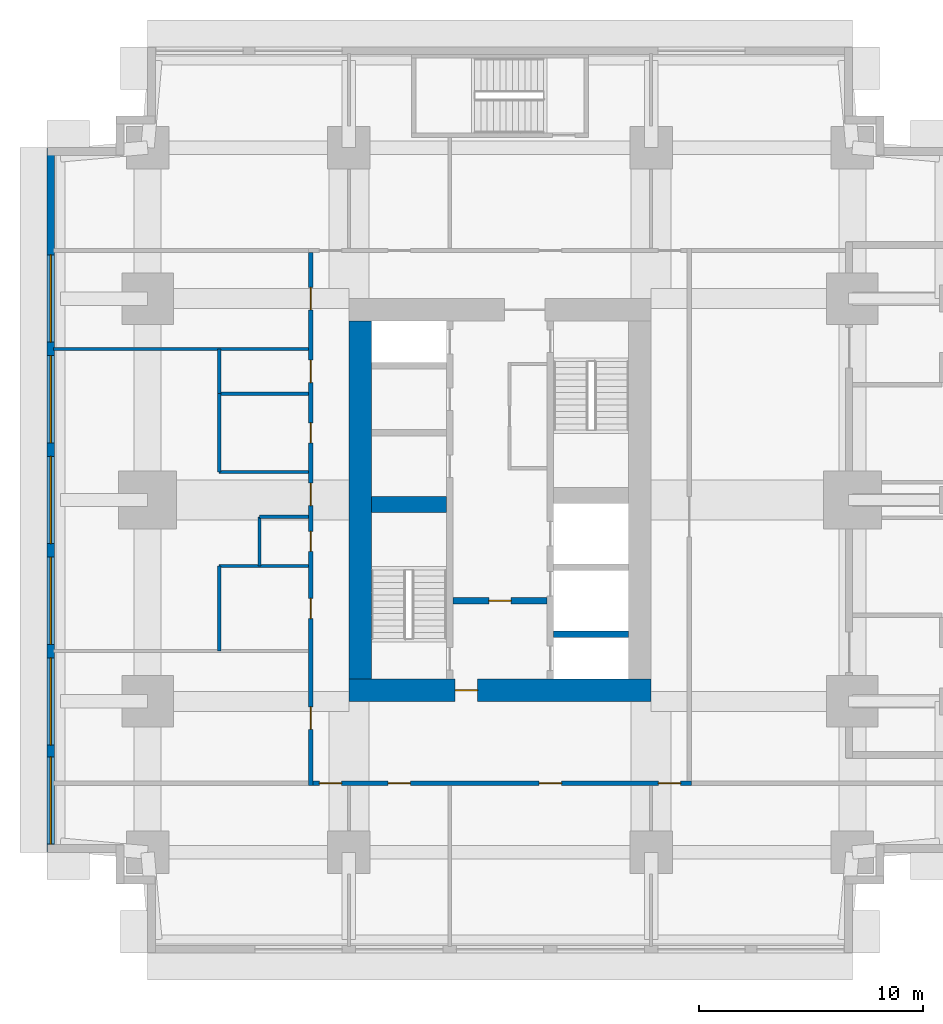
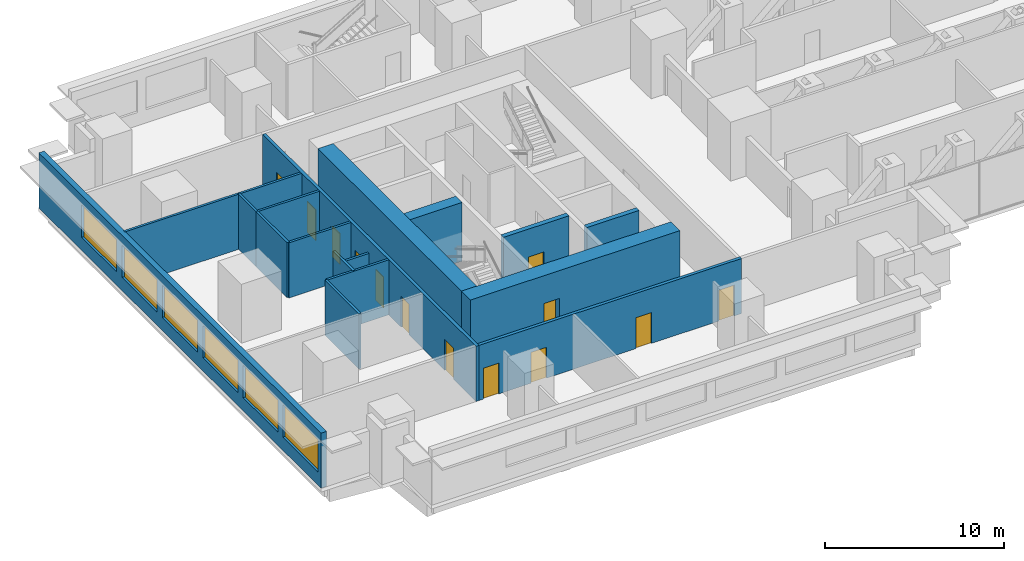
# One storey, part 7 of 14: 17 walls, 13 doors, 6 windows, 19 openings.
"""IFC4 building model written with IfcOpenShell, lengths in metres."""

from ifc_helpers import new_model, si_unit, direction, frame, frame_2d, origin, place, context, subcontext, project, spatial, rectangle, extrude, material, layer, layer_set, type_object, element, fill, save


model = new_model("IFC4")

# Units and contexts
model_context = context("Model", 3, precision=1e-05, world=origin(), true_north=direction((0.0, 1.0)))
body_context = subcontext(model_context, "Body", "Model", "MODEL_VIEW")
ifc_project = project(units=[si_unit("LENGTHUNIT", "METRE"), si_unit("AREAUNIT", "SQUARE_METRE"), si_unit("VOLUMEUNIT", "CUBIC_METRE"), si_unit("PLANEANGLEUNIT", "RADIAN"), si_unit("MASSUNIT", "GRAM", prefix="KILO")], contexts=[model_context])

# Site, building, storey
site_placement = place(None, origin())
site = spatial("IfcSite", under=ifc_project, at=site_placement, CompositionType="ELEMENT")
building_placement = place(site_placement, origin())
building = spatial("IfcBuilding", under=site, at=building_placement, Name="Namib Vertical Campus", CompositionType="ELEMENT")
storey_placement = place(building_placement, frame((0.0, 0.0, 133.0)))
storey = spatial("IfcBuildingStorey", under=building, at=storey_placement, Name="L31", CompositionType="ELEMENT", Elevation=133.0)

# Wall, opening, door
ifc_material_1 = material(Name="Concrete C60/75", Category="concrete")
ifc_layer_1 = layer(ifc_material_1, 0.300048828125)
ifc_layer_set_1 = layer_set([ifc_layer_1], Name="Concrete C60/75")
wall_type_1 = type_object("IfcWallType", Name="Core inner wall 300", PredefinedType="SHEAR", material=ifc_layer_set_1)
wall_1_placement = place(storey_placement, frame((18.14990234375, 15.75, 0.0), z_axis=(0.0, 0.0, 1.0), x_axis=(1.0, 0.0, 0.0)))
wall_1 = element("IfcWall", 1, at=wall_1_placement, inside=storey, type_object=wall_type_1, Name="Core inner wall A L31 W4", PredefinedType="SHEAR", context=body_context, shape_type="SweptSolid", body=[
    extrude(rectangle(XDim=4.2001953125, YDim=0.300048828125, at=frame_2d((2.10009765625, 0.0))), origin(), (0.0, 0.0, 1.0), 4.0),
])
opening_1_placement = place(wall_1_placement, frame((1.60009765625, 0.0, 0.0)))
opening_1 = element("IfcOpeningElement", 2, at=opening_1_placement, cuts=wall_1, Name="Opening FD5", PredefinedType="OPENING", context=body_context, shape_type="SweptSolid", body=[
    extrude(rectangle(XDim=1.0, YDim=2.10009765625, at=frame_2d((0.5, 1.050048828125))), frame((0.0, 0.159912109375, 0.0), z_axis=(0.0, -1.0, 0.0), x_axis=(1.0, 0.0, 0.0)), (0.0, 0.0, 1.0), 0.320068359375),
])
ifc_material_2 = material(Name="Steel fire door", Category="steel")
door_type_1 = type_object("IfcDoorType", Name="Fire door 1000x2100 120 min", OperationType="SINGLE_SWING_RIGHT", PredefinedType="DOOR", material=ifc_material_2)
door_1_placement = place(opening_1_placement, frame((1.0, 0.0, 0.0), z_axis=(0.0, 0.0, 1.0), x_axis=(-1.0, 0.0, 0.0)))
door_1 = element("IfcDoor", 3, at=door_1_placement, inside=storey, type_object=door_type_1, Name="Lobby door FD5 A L31", OperationType="SINGLE_SWING_RIGHT", OverallHeight=2.10009765625, OverallWidth=1.0, PredefinedType="DOOR", context=body_context, shape_type="SweptSolid", body=[
    extrude(rectangle(XDim=1.0, YDim=2.10009765625, at=frame_2d((0.5, 1.050048828125))), frame((0.0, 0.02490234375, 0.0), z_axis=(0.0, -1.0, 0.0), x_axis=(1.0, 0.0, 0.0)), (0.0, 0.0, 1.0), 0.050048828125),
])
fill(opening_1, door_1)

# Walls
wall_2_placement = place(storey_placement, frame((22.64990234375, 14.25, 0.0), z_axis=(0.0, 0.0, 1.0), x_axis=(1.0, 0.0, 0.0)))
element("IfcWall", 4, at=wall_2_placement, inside=storey, type_object=wall_type_1, Name="Core inner wall A L31 W5", PredefinedType="SHEAR", context=body_context, shape_type="SweptSolid", body=[
    extrude(rectangle(XDim=3.35009765625, YDim=0.300048828125, at=frame_2d((1.675048828125, 0.0))), origin(), (0.0, 0.0, 1.0), 4.0),
])
ifc_material_3 = material(Name="Concrete C60/75", Category="concrete")
ifc_layer_2 = layer(ifc_material_3, 0.699951171875)
ifc_layer_set_2 = layer_set([ifc_layer_2], Name="Concrete C60/75")
wall_type_2 = type_object("IfcWallType", Name="Core shear wall 700", PredefinedType="SHEAR", material=ifc_layer_set_2)
wall_3_placement = place(storey_placement, frame((14.5, 20.050048828125, 0.0), z_axis=(0.0, 0.0, 1.0), x_axis=(1.0, 0.0, 0.0)))
element("IfcWall", 5, at=wall_3_placement, inside=storey, type_object=wall_type_2, Name="Core shear wall A L31 W3", PredefinedType="SHEAR", context=body_context, shape_type="SweptSolid", body=[
    extrude(rectangle(XDim=3.35009765625, YDim=0.699951171875, at=frame_2d((1.675048828125, 0.0))), origin(), (0.0, 0.0, 1.0), 4.0),
])

# Wall, opening, door
ifc_material_4 = material(Name="Concrete C60/75", Category="concrete")
ifc_layer_3 = layer(ifc_material_4, 1.0)
ifc_layer_set_3 = layer_set([ifc_layer_3], Name="Concrete C60/75")
wall_type_3 = type_object("IfcWallType", Name="Core wall 1000", PredefinedType="SHEAR", material=ifc_layer_set_3)
wall_4_placement = place(storey_placement, frame((13.5, 11.75, 0.0), z_axis=(0.0, 0.0, 1.0), x_axis=(1.0, 0.0, 0.0)))
wall_4 = element("IfcWall", 6, at=wall_4_placement, inside=storey, type_object=wall_type_3, Name="Core wall A L31 1", PredefinedType="SHEAR", context=body_context, shape_type="SweptSolid", body=[
    extrude(rectangle(XDim=13.5, YDim=1.0, at=frame_2d((6.75, 0.0))), origin(), (0.0, 0.0, 1.0), 4.0),
])
opening_2_placement = place(wall_4_placement, frame((4.75, 0.0, 0.0)))
opening_2 = element("IfcOpeningElement", 7, at=opening_2_placement, cuts=wall_4, Name="Opening FD5", PredefinedType="OPENING", context=body_context, shape_type="SweptSolid", body=[
    extrude(rectangle(XDim=1.0, YDim=2.10009765625, at=frame_2d((0.5, 1.050048828125))), frame((0.0, 0.510009765625, 0.0), z_axis=(0.0, -1.0, 0.0), x_axis=(1.0, 0.0, 0.0)), (0.0, 0.0, 1.0), 1.02001953125),
])
door_2_placement = place(opening_2_placement, origin())
door_2 = element("IfcDoor", 8, at=door_2_placement, inside=storey, type_object=door_type_1, Name="Firefighting lobby door FD5 A L31", OperationType="SINGLE_SWING_LEFT", OverallHeight=2.10009765625, OverallWidth=1.0, PredefinedType="DOOR", context=body_context, shape_type="SweptSolid", body=[
    extrude(rectangle(XDim=1.0, YDim=2.10009765625, at=frame_2d((0.5, 1.050048828125))), frame((0.0, 0.02490234375, 0.0), z_axis=(0.0, -1.0, 0.0), x_axis=(1.0, 0.0, 0.0)), (0.0, 0.0, 1.0), 0.050048828125),
])
fill(opening_2, door_2)

# Wall
wall_5_placement = place(storey_placement, frame((14.0, 28.25, 0.0), z_axis=(0.0, 0.0, 1.0), x_axis=(0.0, -1.0, 0.0)))
element("IfcWall", 9, at=wall_5_placement, inside=storey, type_object=wall_type_3, Name="Core wall A L31 4", PredefinedType="SHEAR", context=body_context, shape_type="SweptSolid", body=[
    extrude(rectangle(XDim=16.0, YDim=1.0, at=frame_2d((8.0, 0.0))), origin(), (0.0, 0.0, 1.0), 4.0),
])

# Wall, openings, doors
ifc_material_5 = material(Name="Concrete masonry", Category="masonry")
ifc_layer_4 = layer(ifc_material_5, 0.199951171875)
ifc_layer_set_4 = layer_set([ifc_layer_4], Name="Corridor wall 200")
wall_type_4 = type_object("IfcWallType", Name="Corridor wall 200", PredefinedType="SOLIDWALL", material=ifc_layer_set_4)
wall_6_placement = place(storey_placement, frame((11.89990234375, 7.60009765625, 0.0), z_axis=(0.0, 0.0, 1.0), x_axis=(1.0, 0.0, 0.0)))
wall_6 = element("IfcWall", 10, at=wall_6_placement, inside=storey, type_object=wall_type_4, Name="Corridor wall A L31 CS", PredefinedType="SOLIDWALL", context=body_context, shape_type="SweptSolid", body=[
    extrude(rectangle(XDim=16.900146484375, YDim=0.199951171875, at=frame_2d((8.4501953125, 0.0))), origin(), (0.0, 0.0, 1.0), 3.75),
])
opening_3_placement = place(wall_6_placement, frame((0.27490234375, 0.0, 0.0)))
opening_3 = element("IfcOpeningElement", 11, at=opening_3_placement, cuts=wall_6, Name="Opening CD1", PredefinedType="OPENING", context=body_context, shape_type="SweptSolid", body=[
    extrude(rectangle(XDim=1.0, YDim=2.10009765625, at=frame_2d((0.5, 1.050048828125))), frame((0.0, 0.10986328125, 0.0), z_axis=(0.0, -1.0, 0.0), x_axis=(1.0, 0.0, 0.0)), (0.0, 0.0, 1.0), 0.219970703125),
])
opening_4_placement = place(wall_6_placement, frame((3.35009765625, 0.0, 0.0)))
opening_4 = element("IfcOpeningElement", 12, at=opening_4_placement, cuts=wall_6, Name="Opening CD1", PredefinedType="OPENING", context=body_context, shape_type="SweptSolid", body=[
    extrude(rectangle(XDim=1.0, YDim=2.10009765625, at=frame_2d((0.5, 1.050048828125))), frame((0.0, 0.10986328125, 0.0), z_axis=(0.0, -1.0, 0.0), x_axis=(1.0, 0.0, 0.0)), (0.0, 0.0, 1.0), 0.219970703125),
])
opening_5_placement = place(wall_6_placement, frame((10.10009765625, 0.0, 0.0)))
opening_5 = element("IfcOpeningElement", 13, at=opening_5_placement, cuts=wall_6, Name="Opening CD1", PredefinedType="OPENING", context=body_context, shape_type="SweptSolid", body=[
    extrude(rectangle(XDim=1.0, YDim=2.10009765625, at=frame_2d((0.5, 1.050048828125))), frame((0.0, 0.10986328125, 0.0), z_axis=(0.0, -1.0, 0.0), x_axis=(1.0, 0.0, 0.0)), (0.0, 0.0, 1.0), 0.219970703125),
])
opening_6_placement = place(wall_6_placement, frame((15.425048828125, 0.0, 0.0)))
opening_6 = element("IfcOpeningElement", 14, at=opening_6_placement, cuts=wall_6, Name="Opening CD1", PredefinedType="OPENING", context=body_context, shape_type="SweptSolid", body=[
    extrude(rectangle(XDim=1.0, YDim=2.10009765625, at=frame_2d((0.5, 1.050048828125))), frame((0.0, 0.10986328125, 0.0), z_axis=(0.0, -1.0, 0.0), x_axis=(1.0, 0.0, 0.0)), (0.0, 0.0, 1.0), 0.219970703125),
])
ifc_material_6 = material(Name="Timber fire door leaf", Category="wood")
door_type_2 = type_object("IfcDoorType", Name="Corridor door 1000x2100 20 min", OperationType="SINGLE_SWING_LEFT", PredefinedType="DOOR", material=ifc_material_6)
door_3_placement = place(opening_3_placement, frame((1.0, 0.0, 0.0), z_axis=(0.0, 0.0, 1.0), x_axis=(-1.0, 0.0, 0.0)))
door_3 = element("IfcDoor", 15, at=door_3_placement, inside=storey, type_object=door_type_2, Name="Door CD1 A31-01", OperationType="SINGLE_SWING_LEFT", OverallHeight=2.10009765625, OverallWidth=1.0, PredefinedType="DOOR", context=body_context, shape_type="SweptSolid", body=[
    extrude(rectangle(XDim=1.0, YDim=2.10009765625, at=frame_2d((0.5, 1.050048828125))), frame((0.0, 0.02490234375, 0.0), z_axis=(0.0, -1.0, 0.0), x_axis=(1.0, 0.0, 0.0)), (0.0, 0.0, 1.0), 0.050048828125),
])
fill(opening_3, door_3)
door_4_placement = place(opening_4_placement, frame((1.0, 0.0, 0.0), z_axis=(0.0, 0.0, 1.0), x_axis=(-1.0, 0.0, 0.0)))
door_4 = element("IfcDoor", 16, at=door_4_placement, inside=storey, type_object=door_type_2, Name="Door CD1 A31-02", OperationType="SINGLE_SWING_RIGHT", OverallHeight=2.10009765625, OverallWidth=1.0, PredefinedType="DOOR", context=body_context, shape_type="SweptSolid", body=[
    extrude(rectangle(XDim=1.0, YDim=2.10009765625, at=frame_2d((0.5, 1.050048828125))), frame((0.0, 0.02490234375, 0.0), z_axis=(0.0, -1.0, 0.0), x_axis=(1.0, 0.0, 0.0)), (0.0, 0.0, 1.0), 0.050048828125),
])
fill(opening_4, door_4)
door_5_placement = place(opening_5_placement, frame((1.0, 0.0, 0.0), z_axis=(0.0, 0.0, 1.0), x_axis=(-1.0, 0.0, 0.0)))
door_5 = element("IfcDoor", 17, at=door_5_placement, inside=storey, type_object=door_type_2, Name="Door CD1 A31-03", OperationType="SINGLE_SWING_RIGHT", OverallHeight=2.10009765625, OverallWidth=1.0, PredefinedType="DOOR", context=body_context, shape_type="SweptSolid", body=[
    extrude(rectangle(XDim=1.0, YDim=2.10009765625, at=frame_2d((0.5, 1.050048828125))), frame((0.0, 0.02490234375, 0.0), z_axis=(0.0, -1.0, 0.0), x_axis=(1.0, 0.0, 0.0)), (0.0, 0.0, 1.0), 0.050048828125),
])
fill(opening_5, door_5)
door_6_placement = place(opening_6_placement, frame((1.0, 0.0, 0.0), z_axis=(0.0, 0.0, 1.0), x_axis=(-1.0, 0.0, 0.0)))
door_6 = element("IfcDoor", 18, at=door_6_placement, inside=storey, type_object=door_type_2, Name="Door CD1 A31-04", OperationType="SINGLE_SWING_RIGHT", OverallHeight=2.10009765625, OverallWidth=1.0, PredefinedType="DOOR", context=body_context, shape_type="SweptSolid", body=[
    extrude(rectangle(XDim=1.0, YDim=2.10009765625, at=frame_2d((0.5, 1.050048828125))), frame((0.0, 0.02490234375, 0.0), z_axis=(0.0, -1.0, 0.0), x_axis=(1.0, 0.0, 0.0)), (0.0, 0.0, 1.0), 0.050048828125),
])
fill(opening_6, door_6)

wall_7_placement = place(storey_placement, frame((11.800048828125, 31.300048828125, 0.0), z_axis=(0.0, 0.0, 1.0), x_axis=(0.0, -1.0, 0.0)))
wall_7 = element("IfcWall", 19, at=wall_7_placement, inside=storey, type_object=wall_type_4, Name="Corridor wall A L31 CW", PredefinedType="SOLIDWALL", context=body_context, shape_type="SweptSolid", body=[
    extrude(rectangle(XDim=23.800048828125, YDim=0.199951171875, at=frame_2d((11.89990234375, 0.0))), origin(), (0.0, 0.0, 1.0), 3.75),
])
opening_7_placement = place(wall_7_placement, frame((20.300048828125, 0.0, 0.0)))
opening_7 = element("IfcOpeningElement", 20, at=opening_7_placement, cuts=wall_7, Name="Opening CD1", PredefinedType="OPENING", context=body_context, shape_type="SweptSolid", body=[
    extrude(rectangle(XDim=1.0, YDim=2.10009765625, at=frame_2d((0.5, 1.050048828125))), frame((0.0, 0.10986328125, 0.0), z_axis=(0.0, -1.0, 0.0), x_axis=(1.0, 0.0, 0.0)), (0.0, 0.0, 1.0), 0.219970703125),
])
opening_8_placement = place(wall_7_placement, frame((15.449951171875, 0.0, 0.0)))
opening_8 = element("IfcOpeningElement", 21, at=opening_8_placement, cuts=wall_7, Name="Opening CD3", PredefinedType="OPENING", context=body_context, shape_type="SweptSolid", body=[
    extrude(rectangle(XDim=0.89990234375, YDim=2.10009765625, at=frame_2d((0.449951171875, 1.050048828125))), frame((0.0, 0.10986328125, 0.0), z_axis=(0.0, -1.0, 0.0), x_axis=(1.0, 0.0, 0.0)), (0.0, 0.0, 1.0), 0.219970703125),
])
opening_9_placement = place(wall_7_placement, frame((12.449951171875, 0.0, 0.0)))
opening_9 = element("IfcOpeningElement", 22, at=opening_9_placement, cuts=wall_7, Name="Opening CD3", PredefinedType="OPENING", context=body_context, shape_type="SweptSolid", body=[
    extrude(rectangle(XDim=0.89990234375, YDim=2.10009765625, at=frame_2d((0.449951171875, 1.050048828125))), frame((0.0, 0.10986328125, 0.0), z_axis=(0.0, -1.0, 0.0), x_axis=(1.0, 0.0, 0.0)), (0.0, 0.0, 1.0), 0.219970703125),
])
opening_10_placement = place(wall_7_placement, frame((7.60009765625, 0.0, 0.0)))
opening_10 = element("IfcOpeningElement", 23, at=opening_10_placement, cuts=wall_7, Name="Opening CD3", PredefinedType="OPENING", context=body_context, shape_type="SweptSolid", body=[
    extrude(rectangle(XDim=0.89990234375, YDim=2.10009765625, at=frame_2d((0.449951171875, 1.050048828125))), frame((0.0, 0.10986328125, 0.0), z_axis=(0.0, -1.0, 0.0), x_axis=(1.0, 0.0, 0.0)), (0.0, 0.0, 1.0), 0.219970703125),
])
opening_11_placement = place(wall_7_placement, frame((4.800048828125, 0.0, 0.0)))
opening_11 = element("IfcOpeningElement", 24, at=opening_11_placement, cuts=wall_7, Name="Opening CD1", PredefinedType="OPENING", context=body_context, shape_type="SweptSolid", body=[
    extrude(rectangle(XDim=1.0, YDim=2.10009765625, at=frame_2d((0.5, 1.050048828125))), frame((0.0, 0.10986328125, 0.0), z_axis=(0.0, -1.0, 0.0), x_axis=(1.0, 0.0, 0.0)), (0.0, 0.0, 1.0), 0.219970703125),
])
opening_12_placement = place(wall_7_placement, frame((10.300048828125, 0.0, 0.0)))
opening_12 = element("IfcOpeningElement", 25, at=opening_12_placement, cuts=wall_7, Name="Opening CD1", PredefinedType="OPENING", context=body_context, shape_type="SweptSolid", body=[
    extrude(rectangle(XDim=1.0, YDim=2.10009765625, at=frame_2d((0.5, 1.050048828125))), frame((0.0, 0.10986328125, 0.0), z_axis=(0.0, -1.0, 0.0), x_axis=(1.0, 0.0, 0.0)), (0.0, 0.0, 1.0), 0.219970703125),
])
opening_13_placement = place(wall_7_placement, frame((1.550048828125, 0.0, 0.0)))
opening_13 = element("IfcOpeningElement", 26, at=opening_13_placement, cuts=wall_7, Name="Opening CD1", PredefinedType="OPENING", context=body_context, shape_type="SweptSolid", body=[
    extrude(rectangle(XDim=1.0, YDim=2.10009765625, at=frame_2d((0.5, 1.050048828125))), frame((0.0, 0.10986328125, 0.0), z_axis=(0.0, -1.0, 0.0), x_axis=(1.0, 0.0, 0.0)), (0.0, 0.0, 1.0), 0.219970703125),
])
door_7_placement = place(opening_7_placement, frame((1.0, 0.0, 0.0), z_axis=(0.0, 0.0, 1.0), x_axis=(-1.0, 0.0, 0.0)))
door_7 = element("IfcDoor", 27, at=door_7_placement, inside=storey, type_object=door_type_2, Name="Door CD1 A31-10", OperationType="SINGLE_SWING_RIGHT", OverallHeight=2.10009765625, OverallWidth=1.0, PredefinedType="DOOR", context=body_context, shape_type="SweptSolid", body=[
    extrude(rectangle(XDim=1.0, YDim=2.10009765625, at=frame_2d((0.5, 1.050048828125))), frame((0.0, 0.02490234375, 0.0), z_axis=(0.0, -1.0, 0.0), x_axis=(1.0, 0.0, 0.0)), (0.0, 0.0, 1.0), 0.050048828125),
])
fill(opening_7, door_7)
door_8_placement = place(opening_11_placement, frame((1.0, 0.0, 0.0), z_axis=(0.0, 0.0, 1.0), x_axis=(-1.0, 0.0, 0.0)))
door_8 = element("IfcDoor", 28, at=door_8_placement, inside=storey, type_object=door_type_2, Name="Door CD1 A31-14", OperationType="SINGLE_SWING_RIGHT", OverallHeight=2.10009765625, OverallWidth=1.0, PredefinedType="DOOR", context=body_context, shape_type="SweptSolid", body=[
    extrude(rectangle(XDim=1.0, YDim=2.10009765625, at=frame_2d((0.5, 1.050048828125))), frame((0.0, 0.02490234375, 0.0), z_axis=(0.0, -1.0, 0.0), x_axis=(1.0, 0.0, 0.0)), (0.0, 0.0, 1.0), 0.050048828125),
])
fill(opening_11, door_8)
door_9_placement = place(opening_12_placement, frame((1.0, 0.0, 0.0), z_axis=(0.0, 0.0, 1.0), x_axis=(-1.0, 0.0, 0.0)))
door_9 = element("IfcDoor", 29, at=door_9_placement, inside=storey, type_object=door_type_2, Name="Door CD1 A31-15", OperationType="SINGLE_SWING_RIGHT", OverallHeight=2.10009765625, OverallWidth=1.0, PredefinedType="DOOR", context=body_context, shape_type="SweptSolid", body=[
    extrude(rectangle(XDim=1.0, YDim=2.10009765625, at=frame_2d((0.5, 1.050048828125))), frame((0.0, 0.02490234375, 0.0), z_axis=(0.0, -1.0, 0.0), x_axis=(1.0, 0.0, 0.0)), (0.0, 0.0, 1.0), 0.050048828125),
])
fill(opening_12, door_9)
door_10_placement = place(opening_13_placement, frame((1.0, 0.0, 0.0), z_axis=(0.0, 0.0, 1.0), x_axis=(-1.0, 0.0, 0.0)))
door_10 = element("IfcDoor", 30, at=door_10_placement, inside=storey, type_object=door_type_2, Name="Door CD1 A31-16", OperationType="SINGLE_SWING_RIGHT", OverallHeight=2.10009765625, OverallWidth=1.0, PredefinedType="DOOR", context=body_context, shape_type="SweptSolid", body=[
    extrude(rectangle(XDim=1.0, YDim=2.10009765625, at=frame_2d((0.5, 1.050048828125))), frame((0.0, 0.02490234375, 0.0), z_axis=(0.0, -1.0, 0.0), x_axis=(1.0, 0.0, 0.0)), (0.0, 0.0, 1.0), 0.050048828125),
])
fill(opening_13, door_10)
ifc_material_7 = material(Name="Timber fire door leaf", Category="wood")
door_type_3 = type_object("IfcDoorType", Name="Corridor toilet door 900x2100 20 min", OperationType="SINGLE_SWING_LEFT", PredefinedType="DOOR", material=ifc_material_7)
door_11_placement = place(opening_8_placement, frame((0.89990234375, 0.0, 0.0), z_axis=(0.0, 0.0, 1.0), x_axis=(-1.0, 0.0, 0.0)))
door_11 = element("IfcDoor", 31, at=door_11_placement, inside=storey, type_object=door_type_3, Name="Door CD3 A31-11", OperationType="SINGLE_SWING_RIGHT", OverallHeight=2.10009765625, OverallWidth=0.89990234375, PredefinedType="DOOR", context=body_context, shape_type="SweptSolid", body=[
    extrude(rectangle(XDim=0.89990234375, YDim=2.10009765625, at=frame_2d((0.449951171875, 1.050048828125))), frame((0.0, 0.02490234375, 0.0), z_axis=(0.0, -1.0, 0.0), x_axis=(1.0, 0.0, 0.0)), (0.0, 0.0, 1.0), 0.050048828125),
])
fill(opening_8, door_11)
door_12_placement = place(opening_9_placement, frame((0.89990234375, 0.0, 0.0), z_axis=(0.0, 0.0, 1.0), x_axis=(-1.0, 0.0, 0.0)))
door_12 = element("IfcDoor", 32, at=door_12_placement, inside=storey, type_object=door_type_3, Name="Door CD3 A31-12", OperationType="SINGLE_SWING_RIGHT", OverallHeight=2.10009765625, OverallWidth=0.89990234375, PredefinedType="DOOR", context=body_context, shape_type="SweptSolid", body=[
    extrude(rectangle(XDim=0.89990234375, YDim=2.10009765625, at=frame_2d((0.449951171875, 1.050048828125))), frame((0.0, 0.02490234375, 0.0), z_axis=(0.0, -1.0, 0.0), x_axis=(1.0, 0.0, 0.0)), (0.0, 0.0, 1.0), 0.050048828125),
])
fill(opening_9, door_12)
door_13_placement = place(opening_10_placement, frame((0.89990234375, 0.0, 0.0), z_axis=(0.0, 0.0, 1.0), x_axis=(-1.0, 0.0, 0.0)))
door_13 = element("IfcDoor", 33, at=door_13_placement, inside=storey, type_object=door_type_3, Name="Door CD3 A31-13", OperationType="SINGLE_SWING_RIGHT", OverallHeight=2.10009765625, OverallWidth=0.89990234375, PredefinedType="DOOR", context=body_context, shape_type="SweptSolid", body=[
    extrude(rectangle(XDim=0.89990234375, YDim=2.10009765625, at=frame_2d((0.449951171875, 1.050048828125))), frame((0.0, 0.02490234375, 0.0), z_axis=(0.0, -1.0, 0.0), x_axis=(1.0, 0.0, 0.0)), (0.0, 0.0, 1.0), 0.050048828125),
])
fill(opening_10, door_13)

# Wall, openings, windows
ifc_material_8 = material(Name="Concrete C40/50", Category="concrete")
ifc_layer_5 = layer(ifc_material_8, 0.35009765625)
ifc_layer_set_5 = layer_set([ifc_layer_5], Name="Concrete C40/50")
wall_type_5 = type_object("IfcWallType", Name="External wall 350 bush-hammered concrete", PredefinedType="STANDARD", material=ifc_layer_set_5)
wall_8_placement = place(storey_placement, frame((0.175048828125, 35.97998046875, 0.0), z_axis=(0.0, 0.0, 1.0), x_axis=(0.0, -1.0, 0.0)))
wall_8 = element("IfcWall", 34, at=wall_8_placement, inside=storey, type_object=wall_type_5, Name="External wall L31 F21", PredefinedType="STANDARD", context=body_context, shape_type="SweptSolid", body=[
    extrude(rectangle(XDim=31.4599609375, YDim=0.35009765625, at=frame_2d((15.72998046875, 0.0))), origin(), (0.0, 0.0, 1.0), 3.75),
])
opening_14_placement = place(wall_8_placement, frame((27.2099609375, 0.0, 0.89990234375)))
opening_14 = element("IfcOpeningElement", 35, at=opening_14_placement, cuts=wall_8, Name="Opening W1", PredefinedType="OPENING", context=body_context, shape_type="SweptSolid", body=[
    extrude(rectangle(XDim=3.89990234375, YDim=2.199951171875, at=frame_2d((1.949951171875, 1.10009765625))), frame((0.0, 0.18505859375, 0.0), z_axis=(0.0, -1.0, 0.0), x_axis=(1.0, 0.0, 0.0)), (0.0, 0.0, 1.0), 0.3701171875),
])
opening_15_placement = place(wall_8_placement, frame((22.780029296875, 0.0, 0.89990234375)))
opening_15 = element("IfcOpeningElement", 36, at=opening_15_placement, cuts=wall_8, Name="Opening W1", PredefinedType="OPENING", context=body_context, shape_type="SweptSolid", body=[
    extrude(rectangle(XDim=3.89990234375, YDim=2.199951171875, at=frame_2d((1.949951171875, 1.10009765625))), frame((0.0, 0.18505859375, 0.0), z_axis=(0.0, -1.0, 0.0), x_axis=(1.0, 0.0, 0.0)), (0.0, 0.0, 1.0), 0.3701171875),
])
opening_16_placement = place(wall_8_placement, frame((18.280029296875, 0.0, 0.89990234375)))
opening_16 = element("IfcOpeningElement", 37, at=opening_16_placement, cuts=wall_8, Name="Opening W1", PredefinedType="OPENING", context=body_context, shape_type="SweptSolid", body=[
    extrude(rectangle(XDim=3.89990234375, YDim=2.199951171875, at=frame_2d((1.949951171875, 1.10009765625))), frame((0.0, 0.18505859375, 0.0), z_axis=(0.0, -1.0, 0.0), x_axis=(1.0, 0.0, 0.0)), (0.0, 0.0, 1.0), 0.3701171875),
])
opening_17_placement = place(wall_8_placement, frame((13.780029296875, 0.0, 0.89990234375)))
opening_17 = element("IfcOpeningElement", 38, at=opening_17_placement, cuts=wall_8, Name="Opening W1", PredefinedType="OPENING", context=body_context, shape_type="SweptSolid", body=[
    extrude(rectangle(XDim=3.89990234375, YDim=2.199951171875, at=frame_2d((1.949951171875, 1.10009765625))), frame((0.0, 0.18505859375, 0.0), z_axis=(0.0, -1.0, 0.0), x_axis=(1.0, 0.0, 0.0)), (0.0, 0.0, 1.0), 0.3701171875),
])
opening_18_placement = place(wall_8_placement, frame((9.280029296875, 0.0, 0.89990234375)))
opening_18 = element("IfcOpeningElement", 39, at=opening_18_placement, cuts=wall_8, Name="Opening W1", PredefinedType="OPENING", context=body_context, shape_type="SweptSolid", body=[
    extrude(rectangle(XDim=3.89990234375, YDim=2.199951171875, at=frame_2d((1.949951171875, 1.10009765625))), frame((0.0, 0.18505859375, 0.0), z_axis=(0.0, -1.0, 0.0), x_axis=(1.0, 0.0, 0.0)), (0.0, 0.0, 1.0), 0.3701171875),
])
opening_19_placement = place(wall_8_placement, frame((4.780029296875, 0.0, 0.89990234375)))
opening_19 = element("IfcOpeningElement", 40, at=opening_19_placement, cuts=wall_8, Name="Opening W1", PredefinedType="OPENING", context=body_context, shape_type="SweptSolid", body=[
    extrude(rectangle(XDim=3.89990234375, YDim=2.199951171875, at=frame_2d((1.949951171875, 1.10009765625))), frame((0.0, 0.18505859375, 0.0), z_axis=(0.0, -1.0, 0.0), x_axis=(1.0, 0.0, 0.0)), (0.0, 0.0, 1.0), 0.3701171875),
])
ifc_material_9 = material(Name="Dark tinted glass in black aluminium frame", Category="aluminium")
window_type = type_object("IfcWindowType", Name="Ribbon window 3900x2200", PartitioningType="SINGLE_PANEL", PredefinedType="WINDOW", material=ifc_material_9)
window_1_placement = place(opening_14_placement, origin())
window_1 = element("IfcWindow", 41, at=window_1_placement, inside=storey, type_object=window_type, Name="Window W1 L31 F21-1", OverallHeight=2.199951171875, OverallWidth=3.89990234375, PartitioningType="SINGLE_PANEL", PredefinedType="WINDOW", context=body_context, shape_type="SweptSolid", body=[
    extrude(rectangle(XDim=3.89990234375, YDim=2.199951171875, at=frame_2d((1.949951171875, 1.10009765625))), frame((0.0, 0.030029296875, 0.0), z_axis=(0.0, -1.0, 0.0), x_axis=(1.0, 0.0, 0.0)), (0.0, 0.0, 1.0), 0.06005859375),
])
fill(opening_14, window_1)
window_2_placement = place(opening_15_placement, origin())
window_2 = element("IfcWindow", 42, at=window_2_placement, inside=storey, type_object=window_type, Name="Window W1 L31 F21-2", OverallHeight=2.199951171875, OverallWidth=3.89990234375, PartitioningType="SINGLE_PANEL", PredefinedType="WINDOW", context=body_context, shape_type="SweptSolid", body=[
    extrude(rectangle(XDim=3.89990234375, YDim=2.199951171875, at=frame_2d((1.949951171875, 1.10009765625))), frame((0.0, 0.030029296875, 0.0), z_axis=(0.0, -1.0, 0.0), x_axis=(1.0, 0.0, 0.0)), (0.0, 0.0, 1.0), 0.06005859375),
])
fill(opening_15, window_2)
window_3_placement = place(opening_16_placement, origin())
window_3 = element("IfcWindow", 43, at=window_3_placement, inside=storey, type_object=window_type, Name="Window W1 L31 F21-3", OverallHeight=2.199951171875, OverallWidth=3.89990234375, PartitioningType="SINGLE_PANEL", PredefinedType="WINDOW", context=body_context, shape_type="SweptSolid", body=[
    extrude(rectangle(XDim=3.89990234375, YDim=2.199951171875, at=frame_2d((1.949951171875, 1.10009765625))), frame((0.0, 0.030029296875, 0.0), z_axis=(0.0, -1.0, 0.0), x_axis=(1.0, 0.0, 0.0)), (0.0, 0.0, 1.0), 0.06005859375),
])
fill(opening_16, window_3)
window_4_placement = place(opening_17_placement, origin())
window_4 = element("IfcWindow", 44, at=window_4_placement, inside=storey, type_object=window_type, Name="Window W1 L31 F21-4", OverallHeight=2.199951171875, OverallWidth=3.89990234375, PartitioningType="SINGLE_PANEL", PredefinedType="WINDOW", context=body_context, shape_type="SweptSolid", body=[
    extrude(rectangle(XDim=3.89990234375, YDim=2.199951171875, at=frame_2d((1.949951171875, 1.10009765625))), frame((0.0, 0.030029296875, 0.0), z_axis=(0.0, -1.0, 0.0), x_axis=(1.0, 0.0, 0.0)), (0.0, 0.0, 1.0), 0.06005859375),
])
fill(opening_17, window_4)
window_5_placement = place(opening_18_placement, origin())
window_5 = element("IfcWindow", 45, at=window_5_placement, inside=storey, type_object=window_type, Name="Window W1 L31 F21-5", OverallHeight=2.199951171875, OverallWidth=3.89990234375, PartitioningType="SINGLE_PANEL", PredefinedType="WINDOW", context=body_context, shape_type="SweptSolid", body=[
    extrude(rectangle(XDim=3.89990234375, YDim=2.199951171875, at=frame_2d((1.949951171875, 1.10009765625))), frame((0.0, 0.030029296875, 0.0), z_axis=(0.0, -1.0, 0.0), x_axis=(1.0, 0.0, 0.0)), (0.0, 0.0, 1.0), 0.06005859375),
])
fill(opening_18, window_5)
window_6_placement = place(opening_19_placement, origin())
window_6 = element("IfcWindow", 46, at=window_6_placement, inside=storey, type_object=window_type, Name="Window W1 L31 F21-6", OverallHeight=2.199951171875, OverallWidth=3.89990234375, PartitioningType="SINGLE_PANEL", PredefinedType="WINDOW", context=body_context, shape_type="SweptSolid", body=[
    extrude(rectangle(XDim=3.89990234375, YDim=2.199951171875, at=frame_2d((1.949951171875, 1.10009765625))), frame((0.0, 0.030029296875, 0.0), z_axis=(0.0, -1.0, 0.0), x_axis=(1.0, 0.0, 0.0)), (0.0, 0.0, 1.0), 0.06005859375),
])
fill(opening_19, window_6)

# Walls
ifc_material_10 = material(Name="Gypsum board on steel studs", Category="steel")
ifc_layer_6 = layer(ifc_material_10, 0.14990234375)
ifc_layer_set_6 = layer_set([ifc_layer_6], Name="Gypsum board on steel studs")
wall_type_6 = type_object("IfcWallType", Name="Partition 150", PredefinedType="PARTITIONING", material=ifc_layer_set_6)
wall_9_placement = place(storey_placement, frame((0.300048828125, 27.0, 0.0), z_axis=(0.0, 0.0, 1.0), x_axis=(1.0, 0.0, 0.0)))
element("IfcWall", 47, at=wall_9_placement, inside=storey, type_object=wall_type_6, Name="Partition A L31 PW2", PredefinedType="PARTITIONING", context=body_context, shape_type="SweptSolid", body=[
    extrude(rectangle(XDim=11.39990234375, YDim=0.14990234375, at=frame_2d((5.699951171875, 0.0))), origin(), (0.0, 0.0, 1.0), 3.75),
])
wall_10_placement = place(storey_placement, frame((11.699951171875, 17.300048828125, 0.0), z_axis=(0.0, 0.0, 1.0), x_axis=(-1.0, 0.0, 0.0)))
element("IfcWall", 48, at=wall_10_placement, inside=storey, type_object=wall_type_6, Name="Partition A L31 WR1", PredefinedType="PARTITIONING", context=body_context, shape_type="SweptSolid", body=[
    extrude(rectangle(XDim=4.0, YDim=0.14990234375, at=frame_2d((2.0, 0.0))), origin(), (0.0, 0.0, 1.0), 3.75),
])
wall_11_placement = place(storey_placement, frame((11.699951171875, 19.5, 0.0), z_axis=(0.0, 0.0, 1.0), x_axis=(-1.0, 0.0, 0.0)))
element("IfcWall", 49, at=wall_11_placement, inside=storey, type_object=wall_type_6, Name="Partition A L31 WR2", PredefinedType="PARTITIONING", context=body_context, shape_type="SweptSolid", body=[
    extrude(rectangle(XDim=2.199951171875, YDim=0.14990234375, at=frame_2d((1.10009765625, 0.0))), origin(), (0.0, 0.0, 1.0), 2.85009765625),
])
for number, where, z_axis, x_axis, name in (
    (50, (11.699951171875, 21.5, 0.0), (0.0, 0.0, 1.0), (-1.0, 0.0, 0.0), "Partition A L31 WR3"),
    (51, (11.699951171875, 25.0, 0.0), (0.0, 0.0, 1.0), (-1.0, 0.0, 0.0), "Partition A L31 WR4"),
):
    element("IfcWall", number, at=place(storey_placement, frame(where, z_axis=z_axis, x_axis=x_axis)), inside=storey, type_object=wall_type_6, Name=name, PredefinedType="PARTITIONING", context=body_context, shape_type="SweptSolid", body=[
        extrude(rectangle(XDim=4.0, YDim=0.14990234375, at=frame_2d((2.0, 0.0))), origin(), (0.0, 0.0, 1.0), 3.75),
    ])
wall_12_placement = place(storey_placement, frame((7.699951171875, 13.5, 0.0), z_axis=(0.0, 0.0, 1.0), x_axis=(0.0, 1.0, 0.0)))
element("IfcWall", 52, at=wall_12_placement, inside=storey, type_object=wall_type_6, Name="Partition A L31 WB1", PredefinedType="PARTITIONING", context=body_context, shape_type="SweptSolid", body=[
    extrude(rectangle(XDim=3.800048828125, YDim=0.14990234375, at=frame_2d((1.89990234375, 0.0))), origin(), (0.0, 0.0, 1.0), 3.75),
])
wall_13_placement = place(storey_placement, frame((9.5, 17.300048828125, 0.0), z_axis=(0.0, 0.0, 1.0), x_axis=(0.0, 1.0, 0.0)))
element("IfcWall", 53, at=wall_13_placement, inside=storey, type_object=wall_type_6, Name="Partition A L31 WB2", PredefinedType="PARTITIONING", context=body_context, shape_type="SweptSolid", body=[
    extrude(rectangle(XDim=2.199951171875, YDim=0.14990234375, at=frame_2d((1.10009765625, 0.0))), origin(), (0.0, 0.0, 1.0), 3.75),
])
wall_14_placement = place(storey_placement, frame((7.699951171875, 21.5, 0.0), z_axis=(0.0, 0.0, 1.0), x_axis=(0.0, 1.0, 0.0)))
element("IfcWall", 54, at=wall_14_placement, inside=storey, type_object=wall_type_6, Name="Partition A L31 WB3", PredefinedType="PARTITIONING", context=body_context, shape_type="SweptSolid", body=[
    extrude(rectangle(XDim=3.5, YDim=0.14990234375, at=frame_2d((1.75, 0.0))), origin(), (0.0, 0.0, 1.0), 3.75),
])
wall_15_placement = place(storey_placement, frame((7.699951171875, 25.0, 0.0), z_axis=(0.0, 0.0, 1.0), x_axis=(0.0, 1.0, 0.0)))
element("IfcWall", 55, at=wall_15_placement, inside=storey, type_object=wall_type_6, Name="Partition A L31 WB4", PredefinedType="PARTITIONING", context=body_context, shape_type="SweptSolid", body=[
    extrude(rectangle(XDim=2.0, YDim=0.14990234375, at=frame_2d((1.0, 0.0))), origin(), (0.0, 0.0, 1.0), 3.75),
])

save(model, "model.ifc")
